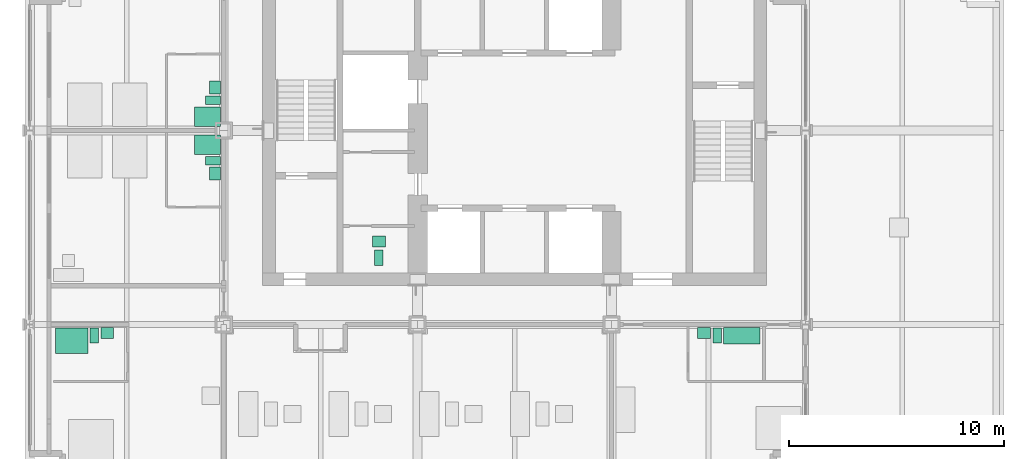
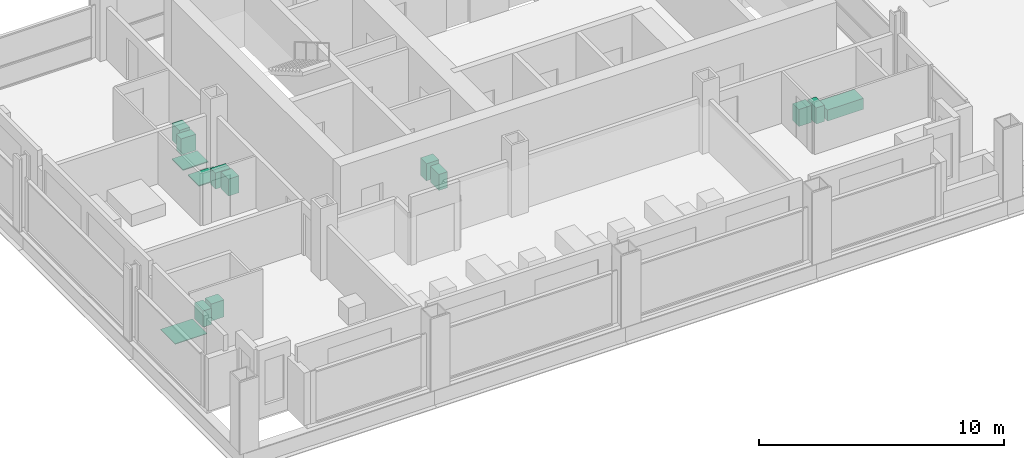
# One storey, part 11 of 12: 14 sanitary terminals.
"""IFC4 building model written with IfcOpenShell, lengths in metres."""

from ifc_helpers import new_model, si_unit, direction, frame, origin, origin_2d, place, context, subcontext, project, spatial, rectangle, extrude, element, save


model = new_model("IFC4")

# Units and contexts
model_context = context("Model", 3, precision=1e-05, world=origin(), true_north=direction((0.0, 1.0)))
body_context = subcontext(model_context, "Body", "Model", "MODEL_VIEW")
ifc_project = project(units=[si_unit("LENGTHUNIT", "METRE"), si_unit("AREAUNIT", "SQUARE_METRE"), si_unit("VOLUMEUNIT", "CUBIC_METRE"), si_unit("PLANEANGLEUNIT", "RADIAN"), si_unit("MASSUNIT", "GRAM", prefix="KILO")], contexts=[model_context])

# Site, building, storey
site_placement = place(None, origin())
site = spatial("IfcSite", under=ifc_project, at=site_placement, CompositionType="ELEMENT")
building_placement = place(site_placement, origin())
building = spatial("IfcBuilding", under=site, at=building_placement, Name="Loomwork Tower", CompositionType="ELEMENT")
storey_placement = place(building_placement, frame((0.0, 0.0, 226.60009765625)))
storey = spatial("IfcBuildingStorey", under=building, at=storey_placement, Name="L62", CompositionType="ELEMENT", Elevation=226.60009765625)

# Sanitary terminals
sanitary_terminal_1_placement = place(storey_placement, frame((1.949951171875, 8.25, 0.0), z_axis=(0.0, 0.0, 1.0), x_axis=(1.0, 0.0, 0.0)))
element("IfcSanitaryTerminal", 1, at=sanitary_terminal_1_placement, inside=storey, Name="Roll-in shower floor L62", PredefinedType="SHOWER", context=body_context, shape_type="SweptSolid", body=[
    extrude(rectangle(XDim=1.5, YDim=1.199951171875, at=origin_2d()), origin(), (0.0, 0.0, 1.0), 0.030029296875),
])
sanitary_terminal_2_placement = place(storey_placement, frame((3.0, 8.5, 0.0), z_axis=(0.0, 0.0, 1.0), x_axis=(1.0, 0.0, 0.0)))
element("IfcSanitaryTerminal", 2, at=sanitary_terminal_2_placement, inside=storey, Name="WC L62", PredefinedType="TOILETPAN", context=body_context, shape_type="SweptSolid", body=[
    extrude(rectangle(XDim=0.39990234375, YDim=0.699951171875, at=origin_2d()), origin(), (0.0, 0.0, 1.0), 0.800048828125),
])
sanitary_terminal_3_placement = place(storey_placement, frame((3.60009765625, 8.60009765625, -0.000244140625), z_axis=(0.0, 0.0, 1.0), x_axis=(1.0, 0.0, 0.0)))
element("IfcSanitaryTerminal", 3, at=sanitary_terminal_3_placement, inside=storey, Name="Basin vanity L62", PredefinedType="WASHHANDBASIN", context=body_context, shape_type="SweptSolid", body=[
    extrude(rectangle(XDim=0.60009765625, YDim=0.5, at=origin_2d()), origin(), (0.0, 0.0, 1.0), 0.85009765625),
])
sanitary_terminal_4_placement = place(storey_placement, frame((33.050048828125, 8.47509765625, 0.0), z_axis=(0.0, 0.0, 1.0), x_axis=(1.0, 0.0, 0.0)))
element("IfcSanitaryTerminal", 4, at=sanitary_terminal_4_placement, inside=storey, Name="Bath L62", PredefinedType="BATH", context=body_context, shape_type="SweptSolid", body=[
    extrude(rectangle(XDim=1.699951171875, YDim=0.75, at=origin_2d()), origin(), (0.0, 0.0, 1.0), 0.550048828125),
])
sanitary_terminal_5_placement = place(storey_placement, frame((31.89990234375, 8.5, 0.0), z_axis=(0.0, 0.0, 1.0), x_axis=(1.0, 0.0, 0.0)))
element("IfcSanitaryTerminal", 5, at=sanitary_terminal_5_placement, inside=storey, Name="WC L62", PredefinedType="TOILETPAN", context=body_context, shape_type="SweptSolid", body=[
    extrude(rectangle(XDim=0.39990234375, YDim=0.699951171875, at=origin_2d()), origin(), (0.0, 0.0, 1.0), 0.800048828125),
])
sanitary_terminal_6_placement = place(storey_placement, frame((31.300048828125, 8.60009765625, -0.000244140625), z_axis=(0.0, 0.0, 1.0), x_axis=(1.0, 0.0, 0.0)))
element("IfcSanitaryTerminal", 6, at=sanitary_terminal_6_placement, inside=storey, Name="Basin vanity L62", PredefinedType="WASHHANDBASIN", context=body_context, shape_type="SweptSolid", body=[
    extrude(rectangle(XDim=0.60009765625, YDim=0.5, at=origin_2d()), origin(), (0.0, 0.0, 1.0), 0.85009765625),
])
sanitary_terminal_7_placement = place(storey_placement, frame((8.25, 17.35009765625, 0.0), z_axis=(0.0, 0.0, 1.0), x_axis=(1.0, 0.0, 0.0)))
element("IfcSanitaryTerminal", 7, at=sanitary_terminal_7_placement, inside=storey, Name="Shower tray L62", PredefinedType="SHOWER", context=body_context, shape_type="SweptSolid", body=[
    extrude(rectangle(XDim=1.199951171875, YDim=0.89990234375, at=origin_2d()), origin(), (0.0, 0.0, 1.0), 0.050048828125),
])
sanitary_terminal_8_placement = place(storey_placement, frame((8.5, 16.60009765625, 0.0), z_axis=(0.0, 0.0, 1.0), x_axis=(1.0, 0.0, 0.0)))
element("IfcSanitaryTerminal", 8, at=sanitary_terminal_8_placement, inside=storey, Name="WC L62", PredefinedType="TOILETPAN", context=body_context, shape_type="SweptSolid", body=[
    extrude(rectangle(XDim=0.699951171875, YDim=0.39990234375, at=origin_2d()), origin(), (0.0, 0.0, 1.0), 0.800048828125),
])
sanitary_terminal_9_placement = place(storey_placement, frame((8.60009765625, 16.0, -0.000244140625), z_axis=(0.0, 0.0, 1.0), x_axis=(1.0, 0.0, 0.0)))
element("IfcSanitaryTerminal", 9, at=sanitary_terminal_9_placement, inside=storey, Name="Basin vanity L62", PredefinedType="WASHHANDBASIN", context=body_context, shape_type="SweptSolid", body=[
    extrude(rectangle(XDim=0.5, YDim=0.60009765625, at=origin_2d()), origin(), (0.0, 0.0, 1.0), 0.85009765625),
])
sanitary_terminal_10_placement = place(storey_placement, frame((8.25, 18.64990234375, 0.0), z_axis=(0.0, 0.0, 1.0), x_axis=(1.0, 0.0, 0.0)))
element("IfcSanitaryTerminal", 10, at=sanitary_terminal_10_placement, inside=storey, Name="Shower tray L62", PredefinedType="SHOWER", context=body_context, shape_type="SweptSolid", body=[
    extrude(rectangle(XDim=1.199951171875, YDim=0.89990234375, at=origin_2d()), origin(), (0.0, 0.0, 1.0), 0.050048828125),
])
sanitary_terminal_11_placement = place(storey_placement, frame((8.5, 19.39990234375, 0.0), z_axis=(0.0, 0.0, 1.0), x_axis=(1.0, 0.0, 0.0)))
element("IfcSanitaryTerminal", 11, at=sanitary_terminal_11_placement, inside=storey, Name="WC L62", PredefinedType="TOILETPAN", context=body_context, shape_type="SweptSolid", body=[
    extrude(rectangle(XDim=0.699951171875, YDim=0.39990234375, at=origin_2d()), origin(), (0.0, 0.0, 1.0), 0.800048828125),
])
sanitary_terminal_12_placement = place(storey_placement, frame((8.60009765625, 20.0, -0.000244140625), z_axis=(0.0, 0.0, 1.0), x_axis=(1.0, 0.0, 0.0)))
element("IfcSanitaryTerminal", 12, at=sanitary_terminal_12_placement, inside=storey, Name="Basin vanity L62", PredefinedType="WASHHANDBASIN", context=body_context, shape_type="SweptSolid", body=[
    extrude(rectangle(XDim=0.5, YDim=0.60009765625, at=origin_2d()), origin(), (0.0, 0.0, 1.0), 0.85009765625),
])
sanitary_terminal_13_placement = place(storey_placement, frame((16.199951171875, 12.10009765625, 0.0), z_axis=(0.0, 0.0, 1.0), x_axis=(1.0, 0.0, 0.0)))
element("IfcSanitaryTerminal", 13, at=sanitary_terminal_13_placement, inside=storey, Name="WC L62", PredefinedType="TOILETPAN", context=body_context, shape_type="SweptSolid", body=[
    extrude(rectangle(XDim=0.39990234375, YDim=0.699951171875, at=origin_2d()), origin(), (0.0, 0.0, 1.0), 0.800048828125),
])
sanitary_terminal_14_placement = place(storey_placement, frame((16.199951171875, 12.85009765625, -0.000244140625), z_axis=(0.0, 0.0, 1.0), x_axis=(1.0, 0.0, 0.0)))
element("IfcSanitaryTerminal", 14, at=sanitary_terminal_14_placement, inside=storey, Name="Basin L62", PredefinedType="WASHHANDBASIN", context=body_context, shape_type="SweptSolid", body=[
    extrude(rectangle(XDim=0.60009765625, YDim=0.5, at=origin_2d()), origin(), (0.0, 0.0, 1.0), 0.85009765625),
])

save(model, "model.ifc")
